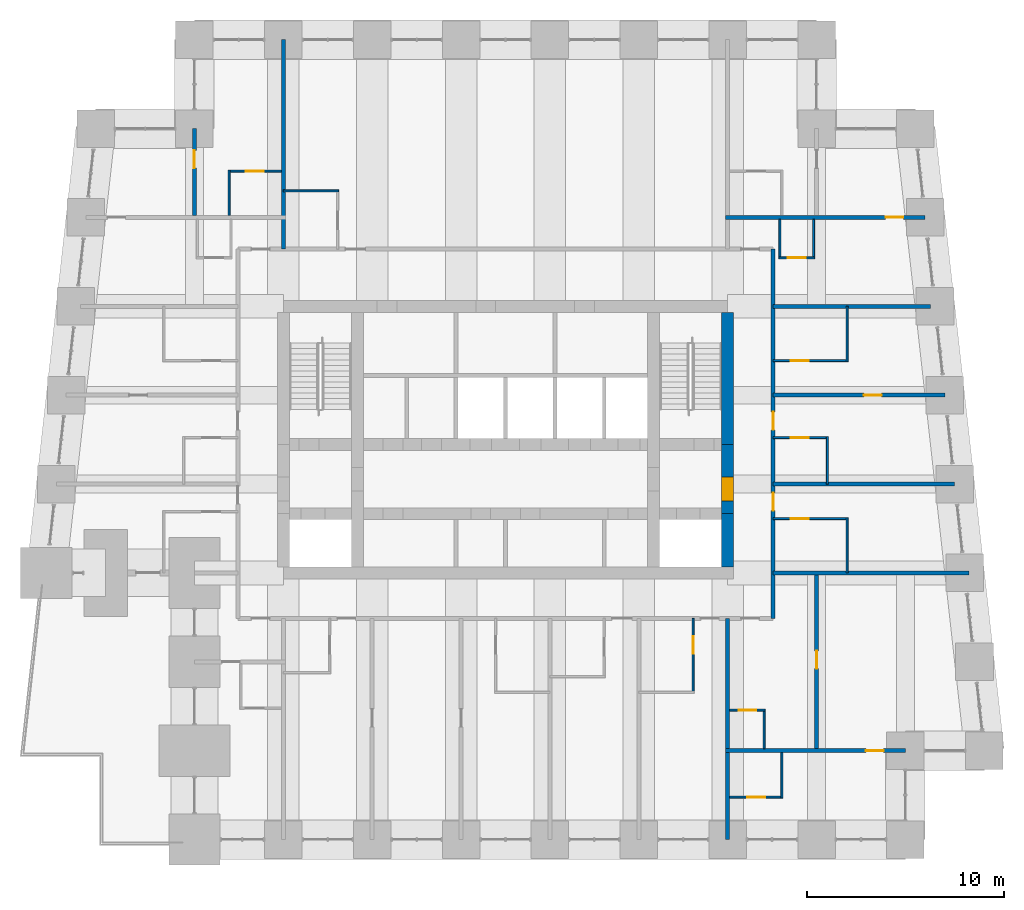
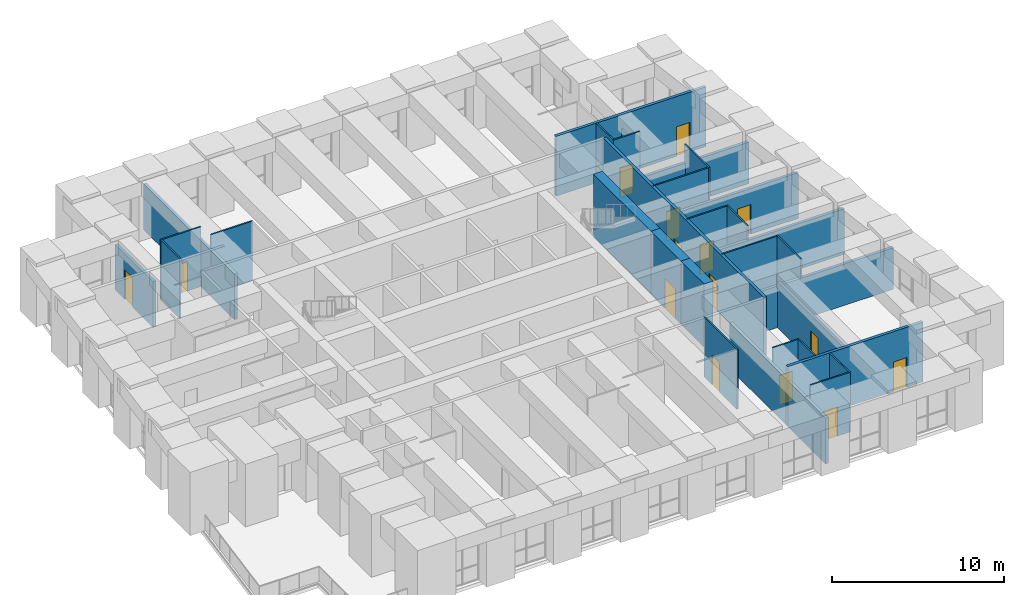
# One storey, part 14 of 16: 31 walls, 16 doors, 16 openings.
"""IFC4 building model written with IfcOpenShell, lengths in metres."""

from ifc_helpers import new_model, si_unit, direction, frame, frame_2d, origin, place, context, subcontext, project, spatial, rectangle, extrude, material, layer, layer_set, type_object, element, fill, save


model = new_model("IFC4")

# Units and contexts
model_context = context("Model", 3, precision=1e-05, world=origin(), true_north=direction((0.0, 1.0)))
body_context = subcontext(model_context, "Body", "Model", "MODEL_VIEW")
ifc_project = project(units=[si_unit("LENGTHUNIT", "METRE"), si_unit("AREAUNIT", "SQUARE_METRE"), si_unit("VOLUMEUNIT", "CUBIC_METRE"), si_unit("PLANEANGLEUNIT", "RADIAN"), si_unit("MASSUNIT", "GRAM", prefix="KILO")], contexts=[model_context])

# Site, building, storey
site_placement = place(None, origin())
site = spatial("IfcSite", under=ifc_project, at=site_placement, CompositionType="ELEMENT")
building_placement = place(site_placement, origin())
building = spatial("IfcBuilding", under=site, at=building_placement, Name="Kilele Tower Hotel", CompositionType="ELEMENT")
storey_placement = place(building_placement, frame((0.0, 0.0, 157.89990234375)))
storey = spatial("IfcBuildingStorey", under=building, at=storey_placement, Name="L40", CompositionType="ELEMENT", Elevation=157.89990234375)

# Wall, opening, door
ifc_material_1 = material(Name="Moisture-resistant board")
ifc_layer_1 = layer(ifc_material_1, 0.10009765625)
ifc_layer_set_1 = layer_set([ifc_layer_1], Name="Moisture-resistant board")
wall_type_1 = type_object("IfcWallType", Name="Bathroom partition 100", PredefinedType="PLUMBINGWALL", material=ifc_layer_set_1)
wall_1_placement = place(storey_placement, frame((34.25, 11.199951171875, 0.0), z_axis=(0.0, 0.0, 1.0), x_axis=(0.0, -1.0, 0.0)))
wall_1 = element("IfcWall", 1, at=wall_1_placement, inside=storey, type_object=wall_type_1, Name="Bathroom partition 100 L40", PredefinedType="PLUMBINGWALL", context=body_context, shape_type="SweptSolid", body=[
    extrude(rectangle(XDim=3.800048828125, YDim=0.10009765625, at=frame_2d((1.89990234375, 0.0))), origin(), (0.0, 0.0, 1.0), 4.25),
])
opening_1_placement = place(wall_1_placement, frame((0.89990234375, 0.0, 0.0)))
opening_1 = element("IfcOpeningElement", 2, at=opening_1_placement, cuts=wall_1, Name="Opening D2A", PredefinedType="OPENING", context=body_context, shape_type="SweptSolid", body=[
    extrude(rectangle(XDim=0.89990234375, YDim=2.10009765625, at=frame_2d((0.449951171875, 1.050048828125))), frame((0.0, 0.06005859375, 0.0), z_axis=(0.0, -1.0, 0.0), x_axis=(1.0, 0.0, 0.0)), (0.0, 0.0, 1.0), 0.1201171875),
])
ifc_material_2 = material(Name="Timber door leaf in hardwood frame", Category="wood")
door_type_1 = type_object("IfcDoorType", Name="Bathroom door 900", OperationType="SINGLE_SWING_LEFT", PredefinedType="DOOR", material=ifc_material_2)
door_1_placement = place(opening_1_placement, origin())
door_1 = element("IfcDoor", 3, at=door_1_placement, inside=storey, type_object=door_type_1, Name="Bathroom door 4005B", OperationType="SINGLE_SWING_LEFT", OverallHeight=2.10009765625, OverallWidth=0.89990234375, PredefinedType="DOOR", context=body_context, shape_type="SweptSolid", body=[
    extrude(rectangle(XDim=0.89990234375, YDim=2.10009765625, at=frame_2d((0.449951171875, 1.050048828125))), frame((0.0, 0.02490234375, 0.0), z_axis=(0.0, -1.0, 0.0), x_axis=(1.0, 0.0, 0.0)), (0.0, 0.0, 1.0), 0.050048828125),
])
fill(opening_1, door_1)

# Wall
wall_2_placement = place(storey_placement, frame((42.050048828125, 13.5, 0.0), z_axis=(0.0, 0.0, 1.0), x_axis=(0.0, 1.0, 0.0)))
element("IfcWall", 4, at=wall_2_placement, inside=storey, type_object=wall_type_1, Name="Bathroom partition 100 L40", PredefinedType="PLUMBINGWALL", context=body_context, shape_type="SweptSolid", body=[
    extrude(rectangle(XDim=2.800048828125, YDim=0.10009765625, at=frame_2d((1.39990234375, 0.0))), origin(), (0.0, 0.0, 1.0), 4.25),
])

# Wall, opening, door
wall_3_placement = place(storey_placement, frame((38.300048828125, 16.25, 0.0), z_axis=(0.0, 0.0, 1.0), x_axis=(1.0, 0.0, 0.0)))
wall_3 = element("IfcWall", 5, at=wall_3_placement, inside=storey, type_object=wall_type_1, Name="Bathroom partition 100 L40", PredefinedType="PLUMBINGWALL", context=body_context, shape_type="SweptSolid", body=[
    extrude(rectangle(XDim=3.800048828125, YDim=0.10009765625, at=frame_2d((1.89990234375, 0.0))), origin(), (0.0, 0.0, 1.0), 4.25),
])
opening_2_placement = place(wall_3_placement, frame((0.89990234375, 0.0, 0.0)))
opening_2 = element("IfcOpeningElement", 6, at=opening_2_placement, cuts=wall_3, Name="Opening D2A", PredefinedType="OPENING", context=body_context, shape_type="SweptSolid", body=[
    extrude(rectangle(XDim=0.89990234375, YDim=2.10009765625, at=frame_2d((0.449951171875, 1.050048828125))), frame((0.0, 0.06005859375, 0.0), z_axis=(0.0, -1.0, 0.0), x_axis=(1.0, 0.0, 0.0)), (0.0, 0.0, 1.0), 0.1201171875),
])
door_2_placement = place(opening_2_placement, origin())
door_2 = element("IfcDoor", 7, at=door_2_placement, inside=storey, type_object=door_type_1, Name="Bathroom door 4006B", OperationType="SINGLE_SWING_LEFT", OverallHeight=2.10009765625, OverallWidth=0.89990234375, PredefinedType="DOOR", context=body_context, shape_type="SweptSolid", body=[
    extrude(rectangle(XDim=0.89990234375, YDim=2.10009765625, at=frame_2d((0.449951171875, 1.050048828125))), frame((0.0, 0.02490234375, 0.0), z_axis=(0.0, -1.0, 0.0), x_axis=(1.0, 0.0, 0.0)), (0.0, 0.0, 1.0), 0.050048828125),
])
fill(opening_2, door_2)

# Wall
wall_4_placement = place(storey_placement, frame((41.050048828125, 18.0, 0.0), z_axis=(0.0, 0.0, 1.0), x_axis=(0.0, 1.0, 0.0)))
element("IfcWall", 8, at=wall_4_placement, inside=storey, type_object=wall_type_1, Name="Bathroom partition 100 L40", PredefinedType="PLUMBINGWALL", context=body_context, shape_type="SweptSolid", body=[
    extrude(rectangle(XDim=2.39990234375, YDim=0.10009765625, at=frame_2d((1.199951171875, 0.0))), origin(), (0.0, 0.0, 1.0), 4.25),
])

# Wall, opening, door
wall_5_placement = place(storey_placement, frame((38.300048828125, 20.35009765625, 0.0), z_axis=(0.0, 0.0, 1.0), x_axis=(1.0, 0.0, 0.0)))
wall_5 = element("IfcWall", 9, at=wall_5_placement, inside=storey, type_object=wall_type_1, Name="Bathroom partition 100 L40", PredefinedType="PLUMBINGWALL", context=body_context, shape_type="SweptSolid", body=[
    extrude(rectangle(XDim=2.800048828125, YDim=0.10009765625, at=frame_2d((1.39990234375, 0.0))), origin(), (0.0, 0.0, 1.0), 4.25),
])
opening_3_placement = place(wall_5_placement, frame((0.89990234375, 0.0, 0.0)))
opening_3 = element("IfcOpeningElement", 10, at=opening_3_placement, cuts=wall_5, Name="Opening D2A", PredefinedType="OPENING", context=body_context, shape_type="SweptSolid", body=[
    extrude(rectangle(XDim=0.89990234375, YDim=2.10009765625, at=frame_2d((0.449951171875, 1.050048828125))), frame((0.0, 0.06005859375, 0.0), z_axis=(0.0, -1.0, 0.0), x_axis=(1.0, 0.0, 0.0)), (0.0, 0.0, 1.0), 0.1201171875),
])
door_3_placement = place(opening_3_placement, origin())
door_3 = element("IfcDoor", 11, at=door_3_placement, inside=storey, type_object=door_type_1, Name="Bathroom door 4007B", OperationType="SINGLE_SWING_LEFT", OverallHeight=2.10009765625, OverallWidth=0.89990234375, PredefinedType="DOOR", context=body_context, shape_type="SweptSolid", body=[
    extrude(rectangle(XDim=0.89990234375, YDim=2.10009765625, at=frame_2d((0.449951171875, 1.050048828125))), frame((0.0, 0.02490234375, 0.0), z_axis=(0.0, -1.0, 0.0), x_axis=(1.0, 0.0, 0.0)), (0.0, 0.0, 1.0), 0.050048828125),
])
fill(opening_3, door_3)

# Wall
wall_6_placement = place(storey_placement, frame((42.050048828125, 24.199951171875, 0.0), z_axis=(0.0, 0.0, 1.0), x_axis=(0.0, 1.0, 0.0)))
element("IfcWall", 12, at=wall_6_placement, inside=storey, type_object=wall_type_1, Name="Bathroom partition 100 L40", PredefinedType="PLUMBINGWALL", context=body_context, shape_type="SweptSolid", body=[
    extrude(rectangle(XDim=2.800048828125, YDim=0.10009765625, at=frame_2d((1.39990234375, 0.0))), origin(), (0.0, 0.0, 1.0), 4.25),
])

# Wall, opening, door
wall_7_placement = place(storey_placement, frame((38.300048828125, 24.25, 0.0), z_axis=(0.0, 0.0, 1.0), x_axis=(1.0, 0.0, 0.0)))
wall_7 = element("IfcWall", 13, at=wall_7_placement, inside=storey, type_object=wall_type_1, Name="Bathroom partition 100 L40", PredefinedType="PLUMBINGWALL", context=body_context, shape_type="SweptSolid", body=[
    extrude(rectangle(XDim=3.800048828125, YDim=0.10009765625, at=frame_2d((1.89990234375, 0.0))), origin(), (0.0, 0.0, 1.0), 4.25),
])
opening_4_placement = place(wall_7_placement, frame((1.7998046875, 0.0, 0.0), z_axis=(0.0, 0.0, 1.0), x_axis=(-1.0, 0.0, 0.0)))
opening_4 = element("IfcOpeningElement", 14, at=opening_4_placement, cuts=wall_7, Name="Opening D2A", PredefinedType="OPENING", context=body_context, shape_type="SweptSolid", body=[
    extrude(rectangle(XDim=0.89990234375, YDim=2.10009765625, at=frame_2d((0.449951171875, 1.050048828125))), frame((0.0, 0.06005859375, 0.0), z_axis=(0.0, -1.0, 0.0), x_axis=(1.0, 0.0, 0.0)), (0.0, 0.0, 1.0), 0.1201171875),
])
door_4_placement = place(opening_4_placement, origin())
door_4 = element("IfcDoor", 15, at=door_4_placement, inside=storey, type_object=door_type_1, Name="Bathroom door 4008B", OperationType="SINGLE_SWING_RIGHT", OverallHeight=2.10009765625, OverallWidth=0.89990234375, PredefinedType="DOOR", context=body_context, shape_type="SweptSolid", body=[
    extrude(rectangle(XDim=0.89990234375, YDim=2.10009765625, at=frame_2d((0.449951171875, 1.050048828125))), frame((0.0, 0.02490234375, 0.0), z_axis=(0.0, -1.0, 0.0), x_axis=(1.0, 0.0, 0.0)), (0.0, 0.0, 1.0), 0.050048828125),
])
fill(opening_4, door_4)

# Walls
wall_8_placement = place(storey_placement, frame((13.5, 32.85009765625, 0.0), z_axis=(0.0, 0.0, 1.0), x_axis=(1.0, 0.0, 0.0)))
element("IfcWall", 16, at=wall_8_placement, inside=storey, type_object=wall_type_1, Name="Bathroom partition 100 L40", PredefinedType="PLUMBINGWALL", context=body_context, shape_type="SweptSolid", body=[
    extrude(rectangle(XDim=2.800048828125, YDim=0.10009765625, at=frame_2d((1.39990234375, 0.0))), origin(), (0.0, 0.0, 1.0), 4.25),
])
wall_9_placement = place(storey_placement, frame((37.85009765625, 4.60009765625, 0.0), z_axis=(0.0, 0.0, 1.0), x_axis=(0.0, 1.0, 0.0)))
element("IfcWall", 17, at=wall_9_placement, inside=storey, type_object=wall_type_1, Name="Bathroom partition 100 L40", PredefinedType="PLUMBINGWALL", context=body_context, shape_type="SweptSolid", body=[
    extrude(rectangle(XDim=2.0, YDim=0.10009765625, at=frame_2d((1.0, 0.0))), origin(), (0.0, 0.0, 1.0), 4.25),
])

# Wall, opening, door
wall_10_placement = place(storey_placement, frame((36.10009765625, 6.550048828125, 0.0), z_axis=(0.0, 0.0, 1.0), x_axis=(1.0, 0.0, 0.0)))
wall_10 = element("IfcWall", 18, at=wall_10_placement, inside=storey, type_object=wall_type_1, Name="Bathroom partition 100 L40", PredefinedType="PLUMBINGWALL", context=body_context, shape_type="SweptSolid", body=[
    extrude(rectangle(XDim=1.7998046875, YDim=0.10009765625, at=frame_2d((0.89990234375, 0.0))), origin(), (0.0, 0.0, 1.0), 4.25),
])
opening_5_placement = place(wall_10_placement, frame((0.449951171875, 0.0, 0.0)))
opening_5 = element("IfcOpeningElement", 19, at=opening_5_placement, cuts=wall_10, Name="Opening D2A", PredefinedType="OPENING", context=body_context, shape_type="SweptSolid", body=[
    extrude(rectangle(XDim=0.89990234375, YDim=2.10009765625, at=frame_2d((0.449951171875, 1.050048828125))), frame((0.0, 0.06005859375, 0.0), z_axis=(0.0, -1.0, 0.0), x_axis=(1.0, 0.0, 0.0)), (0.0, 0.0, 1.0), 0.1201171875),
])
door_5_placement = place(opening_5_placement, origin())
door_5 = element("IfcDoor", 20, at=door_5_placement, inside=storey, type_object=door_type_1, Name="Bathroom door 4015P", OperationType="SINGLE_SWING_LEFT", OverallHeight=2.10009765625, OverallWidth=0.89990234375, PredefinedType="DOOR", context=body_context, shape_type="SweptSolid", body=[
    extrude(rectangle(XDim=0.89990234375, YDim=2.10009765625, at=frame_2d((0.449951171875, 1.050048828125))), frame((0.0, 0.02490234375, 0.0), z_axis=(0.0, -1.0, 0.0), x_axis=(1.0, 0.0, 0.0)), (0.0, 0.0, 1.0), 0.050048828125),
])
fill(opening_5, door_5)

# Wall
wall_11_placement = place(storey_placement, frame((38.75, 4.39990234375, 0.0), z_axis=(0.0, 0.0, 1.0), x_axis=(0.0, -1.0, 0.0)))
element("IfcWall", 21, at=wall_11_placement, inside=storey, type_object=wall_type_1, Name="Bathroom partition 100 L40", PredefinedType="PLUMBINGWALL", context=body_context, shape_type="SweptSolid", body=[
    extrude(rectangle(XDim=2.2998046875, YDim=0.10009765625, at=frame_2d((1.14990234375, 0.0))), origin(), (0.0, 0.0, 1.0), 4.25),
])

# Wall, opening, door
wall_12_placement = place(storey_placement, frame((36.10009765625, 2.14990234375, 0.0), z_axis=(0.0, 0.0, 1.0), x_axis=(1.0, 0.0, 0.0)))
wall_12 = element("IfcWall", 22, at=wall_12_placement, inside=storey, type_object=wall_type_1, Name="Bathroom partition 100 L40", PredefinedType="PLUMBINGWALL", context=body_context, shape_type="SweptSolid", body=[
    extrude(rectangle(XDim=2.699951171875, YDim=0.10009765625, at=frame_2d((1.35009765625, 0.0))), origin(), (0.0, 0.0, 1.0), 4.25),
])
opening_6_placement = place(wall_12_placement, frame((1.7998046875, 0.0, 0.0), z_axis=(0.0, 0.0, 1.0), x_axis=(-1.0, 0.0, 0.0)))
opening_6 = element("IfcOpeningElement", 23, at=opening_6_placement, cuts=wall_12, Name="Opening D2A", PredefinedType="OPENING", context=body_context, shape_type="SweptSolid", body=[
    extrude(rectangle(XDim=0.89990234375, YDim=2.10009765625, at=frame_2d((0.449951171875, 1.050048828125))), frame((0.0, 0.06005859375, 0.0), z_axis=(0.0, -1.0, 0.0), x_axis=(1.0, 0.0, 0.0)), (0.0, 0.0, 1.0), 0.1201171875),
])
door_6_placement = place(opening_6_placement, origin())
door_6 = element("IfcDoor", 24, at=door_6_placement, inside=storey, type_object=door_type_1, Name="Bathroom door 4017B", OperationType="SINGLE_SWING_RIGHT", OverallHeight=2.10009765625, OverallWidth=0.89990234375, PredefinedType="DOOR", context=body_context, shape_type="SweptSolid", body=[
    extrude(rectangle(XDim=0.89990234375, YDim=2.10009765625, at=frame_2d((0.449951171875, 1.050048828125))), frame((0.0, 0.02490234375, 0.0), z_axis=(0.0, -1.0, 0.0), x_axis=(1.0, 0.0, 0.0)), (0.0, 0.0, 1.0), 0.050048828125),
])
fill(opening_6, door_6)

# Walls
wall_13_placement = place(storey_placement, frame((40.35009765625, 31.39990234375, 0.0), z_axis=(0.0, 0.0, 1.0), x_axis=(0.0, -1.0, 0.0)))
element("IfcWall", 25, at=wall_13_placement, inside=storey, type_object=wall_type_1, Name="Bathroom partition 100 L40", PredefinedType="PLUMBINGWALL", context=body_context, shape_type="SweptSolid", body=[
    extrude(rectangle(XDim=2.0, YDim=0.10009765625, at=frame_2d((1.0, 0.0))), origin(), (0.0, 0.0, 1.0), 3.25),
])
wall_14_placement = place(storey_placement, frame((38.64990234375, 31.39990234375, 0.0), z_axis=(0.0, 0.0, 1.0), x_axis=(0.0, -1.0, 0.0)))
element("IfcWall", 26, at=wall_14_placement, inside=storey, type_object=wall_type_1, Name="Bathroom partition 100 L40", PredefinedType="PLUMBINGWALL", context=body_context, shape_type="SweptSolid", body=[
    extrude(rectangle(XDim=2.0, YDim=0.10009765625, at=frame_2d((1.0, 0.0))), origin(), (0.0, 0.0, 1.0), 4.25),
])

# Wall, opening, door
wall_15_placement = place(storey_placement, frame((38.60009765625, 29.449951171875, 0.0), z_axis=(0.0, 0.0, 1.0), x_axis=(1.0, 0.0, 0.0)))
wall_15 = element("IfcWall", 27, at=wall_15_placement, inside=storey, type_object=wall_type_1, Name="Bathroom partition 100 L40", PredefinedType="PLUMBINGWALL", context=body_context, shape_type="SweptSolid", body=[
    extrude(rectangle(XDim=1.7998046875, YDim=0.10009765625, at=frame_2d((0.89990234375, 0.0))), origin(), (0.0, 0.0, 1.0), 4.25),
])
opening_7_placement = place(wall_15_placement, frame((1.349853515625, 0.0, 0.0), z_axis=(0.0, 0.0, 1.0), x_axis=(-1.0, 0.0, 0.0)))
opening_7 = element("IfcOpeningElement", 28, at=opening_7_placement, cuts=wall_15, Name="Opening D2A", PredefinedType="OPENING", context=body_context, shape_type="SweptSolid", body=[
    extrude(rectangle(XDim=0.89990234375, YDim=2.10009765625, at=frame_2d((0.449951171875, 1.050048828125))), frame((0.0, 0.06005859375, 0.0), z_axis=(0.0, -1.0, 0.0), x_axis=(1.0, 0.0, 0.0)), (0.0, 0.0, 1.0), 0.1201171875),
])
door_7_placement = place(opening_7_placement, origin())
door_7 = element("IfcDoor", 29, at=door_7_placement, inside=storey, type_object=door_type_1, Name="Bathroom door 4018P", OperationType="SINGLE_SWING_RIGHT", OverallHeight=2.10009765625, OverallWidth=0.89990234375, PredefinedType="DOOR", context=body_context, shape_type="SweptSolid", body=[
    extrude(rectangle(XDim=0.89990234375, YDim=2.10009765625, at=frame_2d((0.449951171875, 1.050048828125))), frame((0.0, 0.02490234375, 0.0), z_axis=(0.0, -1.0, 0.0), x_axis=(1.0, 0.0, 0.0)), (0.0, 0.0, 1.0), 0.050048828125),
])
fill(opening_7, door_7)

# Wall
wall_16_placement = place(storey_placement, frame((10.75, 31.60009765625, 0.0), z_axis=(0.0, 0.0, 1.0), x_axis=(0.0, 1.0, 0.0)))
element("IfcWall", 30, at=wall_16_placement, inside=storey, type_object=wall_type_1, Name="Bathroom partition 100 L40", PredefinedType="PLUMBINGWALL", context=body_context, shape_type="SweptSolid", body=[
    extrude(rectangle(XDim=2.2998046875, YDim=0.10009765625, at=frame_2d((1.14990234375, 0.0))), origin(), (0.0, 0.0, 1.0), 4.25),
])

# Wall, opening, door
wall_17_placement = place(storey_placement, frame((13.39990234375, 33.85009765625, 0.0), z_axis=(0.0, 0.0, 1.0), x_axis=(-1.0, 0.0, 0.0)))
wall_17 = element("IfcWall", 31, at=wall_17_placement, inside=storey, type_object=wall_type_1, Name="Bathroom partition 100 L40", PredefinedType="PLUMBINGWALL", context=body_context, shape_type="SweptSolid", body=[
    extrude(rectangle(XDim=2.699951171875, YDim=0.10009765625, at=frame_2d((1.35009765625, 0.0))), origin(), (0.0, 0.0, 1.0), 4.25),
])
opening_8_placement = place(wall_17_placement, frame((1.7998046875, 0.0, 0.0), z_axis=(0.0, 0.0, 1.0), x_axis=(-1.0, 0.0, 0.0)))
opening_8 = element("IfcOpeningElement", 32, at=opening_8_placement, cuts=wall_17, Name="Opening D2A", PredefinedType="OPENING", context=body_context, shape_type="SweptSolid", body=[
    extrude(rectangle(XDim=0.89990234375, YDim=2.10009765625, at=frame_2d((0.449951171875, 1.050048828125))), frame((0.0, 0.06005859375, 0.0), z_axis=(0.0, -1.0, 0.0), x_axis=(1.0, 0.0, 0.0)), (0.0, 0.0, 1.0), 0.1201171875),
])
door_8_placement = place(opening_8_placement, origin())
door_8 = element("IfcDoor", 33, at=door_8_placement, inside=storey, type_object=door_type_1, Name="Bathroom door 4022B", OperationType="SINGLE_SWING_RIGHT", OverallHeight=2.10009765625, OverallWidth=0.89990234375, PredefinedType="DOOR", context=body_context, shape_type="SweptSolid", body=[
    extrude(rectangle(XDim=0.89990234375, YDim=2.10009765625, at=frame_2d((0.449951171875, 1.050048828125))), frame((0.0, 0.02490234375, 0.0), z_axis=(0.0, -1.0, 0.0), x_axis=(1.0, 0.0, 0.0)), (0.0, 0.0, 1.0), 0.050048828125),
])
fill(opening_8, door_8)

# Wall
ifc_material_3 = material(Name="Concrete C70/85", Category="concrete")
ifc_layer_2 = layer(ifc_material_3, 0.60009765625)
ifc_layer_set_2 = layer_set([ifc_layer_2], Name="Concrete C70/85")
wall_type_2 = type_object("IfcWallType", Name="Core wall 600 C70/85", PredefinedType="SHEAR", material=ifc_layer_set_2)
wall_18_placement = place(storey_placement, frame((36.0, 13.800048828125, 0.0), z_axis=(0.0, 0.0, 1.0), x_axis=(0.0, 1.0, 0.0)))
element("IfcWall", 34, at=wall_18_placement, inside=storey, type_object=wall_type_2, Name="Core wall E1 L40", PredefinedType="SHEAR", context=body_context, shape_type="SweptSolid", body=[
    extrude(rectangle(XDim=2.699951171875, YDim=0.60009765625, at=frame_2d((1.35009765625, 0.0))), origin(), (0.0, 0.0, 1.0), 4.5),
])

# Wall, opening, door
wall_19_placement = place(storey_placement, frame((36.0, 16.5, 0.0), z_axis=(0.0, 0.0, 1.0), x_axis=(0.0, 1.0, 0.0)))
wall_19 = element("IfcWall", 35, at=wall_19_placement, inside=storey, type_object=wall_type_2, Name="Core wall E2 L40", PredefinedType="SHEAR", context=body_context, shape_type="SweptSolid", body=[
    extrude(rectangle(XDim=3.5, YDim=0.60009765625, at=frame_2d((1.75, 0.0))), origin(), (0.0, 0.0, 1.0), 4.5),
])
opening_9_placement = place(wall_19_placement, frame((0.64990234375, 0.0, 0.0)))
opening_9 = element("IfcOpeningElement", 36, at=opening_9_placement, cuts=wall_19, Name="Opening D4", PredefinedType="OPENING", context=body_context, shape_type="SweptSolid", body=[
    extrude(rectangle(XDim=1.199951171875, YDim=2.10009765625, at=frame_2d((0.60009765625, 1.050048828125))), frame((0.0, 0.31005859375, 0.0), z_axis=(0.0, -1.0, 0.0), x_axis=(1.0, 0.0, 0.0)), (0.0, 0.0, 1.0), 0.6201171875),
])
ifc_material_4 = material(Name="Timber door leaf in hardwood frame", Category="wood")
door_type_2 = type_object("IfcDoorType", Name="Firefighting lobby door 1200", OperationType="SINGLE_SWING_LEFT", PredefinedType="DOOR", material=ifc_material_4)
door_9_placement = place(opening_9_placement, origin())
door_9 = element("IfcDoor", 37, at=door_9_placement, inside=storey, type_object=door_type_2, Name="Lobby door L40", OperationType="SINGLE_SWING_LEFT", OverallHeight=2.10009765625, OverallWidth=1.199951171875, PredefinedType="DOOR", context=body_context, shape_type="SweptSolid", body=[
    extrude(rectangle(XDim=1.199951171875, YDim=2.10009765625, at=frame_2d((0.60009765625, 1.050048828125))), frame((0.0, 0.2998046875, 0.0), z_axis=(0.0, -1.0, 0.0), x_axis=(1.0, 0.0, 0.0)), (0.0, 0.0, 1.0), 0.599609375),
])
fill(opening_9, door_9)

# Wall
wall_20_placement = place(storey_placement, frame((36.0, 20.0, 0.0), z_axis=(0.0, 0.0, 1.0), x_axis=(0.0, 1.0, 0.0)))
element("IfcWall", 38, at=wall_20_placement, inside=storey, type_object=wall_type_2, Name="Core wall E3 L40", PredefinedType="SHEAR", context=body_context, shape_type="SweptSolid", body=[
    extrude(rectangle(XDim=6.699951171875, YDim=0.60009765625, at=frame_2d((3.35009765625, 0.0))), origin(), (0.0, 0.0, 1.0), 4.5),
])

# Wall, openings, doors
ifc_material_5 = material(Name="Blockwork, plastered both sides", Category="masonry")
ifc_layer_3 = layer(ifc_material_5, 0.199951171875)
ifc_layer_set_3 = layer_set([ifc_layer_3], Name="Blockwork, plastered both sides")
wall_type_3 = type_object("IfcWallType", Name="Corridor wall 200", PredefinedType="PARTITIONING", material=ifc_layer_set_3)
wall_21_placement = place(storey_placement, frame((38.300048828125, 11.199951171875, 0.0), z_axis=(0.0, 0.0, 1.0), x_axis=(0.0, 1.0, 0.0)))
wall_21 = element("IfcWall", 39, at=wall_21_placement, inside=storey, type_object=wall_type_3, Name="Corridor wall 200 L40", PredefinedType="PARTITIONING", context=body_context, shape_type="SweptSolid", body=[
    extrude(rectangle(XDim=18.699951171875, YDim=0.199951171875, at=frame_2d((9.35009765625, 0.0))), origin(), (0.0, 0.0, 1.0), 4.25),
])
opening_10_placement = place(wall_21_placement, frame((6.349853515625, 0.0, 0.0), z_axis=(0.0, 0.0, 1.0), x_axis=(-1.0, 0.0, 0.0)))
opening_10 = element("IfcOpeningElement", 40, at=opening_10_placement, cuts=wall_21, Name="Opening D1", PredefinedType="OPENING", context=body_context, shape_type="SweptSolid", body=[
    extrude(rectangle(XDim=0.89990234375, YDim=2.10009765625, at=frame_2d((0.449951171875, 1.050048828125))), frame((0.0, 0.10986328125, 0.0), z_axis=(0.0, -1.0, 0.0), x_axis=(1.0, 0.0, 0.0)), (0.0, 0.0, 1.0), 0.219970703125),
])
opening_11_placement = place(wall_21_placement, frame((10.449951171875, 0.0, 0.0), z_axis=(0.0, 0.0, 1.0), x_axis=(-1.0, 0.0, 0.0)))
opening_11 = element("IfcOpeningElement", 41, at=opening_11_placement, cuts=wall_21, Name="Opening D1", PredefinedType="OPENING", context=body_context, shape_type="SweptSolid", body=[
    extrude(rectangle(XDim=0.89990234375, YDim=2.10009765625, at=frame_2d((0.449951171875, 1.050048828125))), frame((0.0, 0.10986328125, 0.0), z_axis=(0.0, -1.0, 0.0), x_axis=(1.0, 0.0, 0.0)), (0.0, 0.0, 1.0), 0.219970703125),
])
ifc_material_6 = material(Name="Timber door leaf in hardwood frame", Category="wood")
door_type_3 = type_object("IfcDoorType", Name="Guest room entrance door 900", OperationType="SINGLE_SWING_LEFT", PredefinedType="DOOR", material=ifc_material_6)
door_10_placement = place(opening_10_placement, origin())
door_10 = element("IfcDoor", 42, at=door_10_placement, inside=storey, type_object=door_type_3, Name="Room entrance 4006", OperationType="SINGLE_SWING_RIGHT", OverallHeight=2.10009765625, OverallWidth=0.89990234375, PredefinedType="DOOR", context=body_context, shape_type="SweptSolid", body=[
    extrude(rectangle(XDim=0.89990234375, YDim=2.10009765625, at=frame_2d((0.449951171875, 1.050048828125))), frame((0.0, 0.02490234375, 0.0), z_axis=(0.0, -1.0, 0.0), x_axis=(1.0, 0.0, 0.0)), (0.0, 0.0, 1.0), 0.050048828125),
])
fill(opening_10, door_10)
door_11_placement = place(opening_11_placement, origin())
door_11 = element("IfcDoor", 43, at=door_11_placement, inside=storey, type_object=door_type_3, Name="Room entrance 4007", OperationType="SINGLE_SWING_RIGHT", OverallHeight=2.10009765625, OverallWidth=0.89990234375, PredefinedType="DOOR", context=body_context, shape_type="SweptSolid", body=[
    extrude(rectangle(XDim=0.89990234375, YDim=2.10009765625, at=frame_2d((0.449951171875, 1.050048828125))), frame((0.0, 0.02490234375, 0.0), z_axis=(0.0, -1.0, 0.0), x_axis=(1.0, 0.0, 0.0)), (0.0, 0.0, 1.0), 0.050048828125),
])
fill(opening_11, door_11)

# Wall, opening, door
ifc_material_7 = material(Name="Blockwork, plastered both sides", Category="masonry")
ifc_layer_4 = layer(ifc_material_7, 0.199951171875)
ifc_layer_set_4 = layer_set([ifc_layer_4], Name="Blockwork, plastered both sides")
wall_type_4 = type_object("IfcWallType", Name="Partition wall 200", PredefinedType="PARTITIONING", material=ifc_layer_set_4)
wall_22_placement = place(storey_placement, frame((40.5, 4.60009765625, 0.0), z_axis=(0.0, 0.0, 1.0), x_axis=(0.0, 1.0, 0.0)))
wall_22 = element("IfcWall", 44, at=wall_22_placement, inside=storey, type_object=wall_type_4, Name="Partition wall 200 L40", PredefinedType="PARTITIONING", context=body_context, shape_type="SweptSolid", body=[
    extrude(rectangle(XDim=8.7998046875, YDim=0.199951171875, at=frame_2d((4.39990234375, 0.0))), origin(), (0.0, 0.0, 1.0), 3.25),
])
opening_12_placement = place(wall_22_placement, frame((4.050048828125, 0.0, 0.0)))
opening_12 = element("IfcOpeningElement", 45, at=opening_12_placement, cuts=wall_22, Name="Opening D3", PredefinedType="OPENING", context=body_context, shape_type="SweptSolid", body=[
    extrude(rectangle(XDim=0.89990234375, YDim=2.10009765625, at=frame_2d((0.449951171875, 1.050048828125))), frame((0.0, 0.10986328125, 0.0), z_axis=(0.0, -1.0, 0.0), x_axis=(1.0, 0.0, 0.0)), (0.0, 0.0, 1.0), 0.219970703125),
])
ifc_material_8 = material(Name="Timber door leaf in hardwood frame", Category="wood")
door_type_4 = type_object("IfcDoorType", Name="Suite internal door 900", OperationType="SINGLE_SWING_LEFT", PredefinedType="DOOR", material=ifc_material_8)
door_12_placement = place(opening_12_placement, origin())
door_12 = element("IfcDoor", 46, at=door_12_placement, inside=storey, type_object=door_type_4, Name="Suite door 4016", OperationType="SINGLE_SWING_RIGHT", OverallHeight=2.10009765625, OverallWidth=0.89990234375, PredefinedType="DOOR", context=body_context, shape_type="SweptSolid", body=[
    extrude(rectangle(XDim=0.89990234375, YDim=2.10009765625, at=frame_2d((0.449951171875, 1.050048828125))), frame((0.0, 0.02490234375, 0.0), z_axis=(0.0, -1.0, 0.0), x_axis=(1.0, 0.0, 0.0)), (0.0, 0.0, 1.0), 0.050048828125),
])
fill(opening_12, door_12)

wall_23_placement = place(storey_placement, frame((9.0, 31.60009765625, 0.0), z_axis=(0.0, 0.0, 1.0), x_axis=(0.0, 1.0, 0.0)))
wall_23 = element("IfcWall", 47, at=wall_23_placement, inside=storey, type_object=wall_type_4, Name="Partition wall 200 L40", PredefinedType="PARTITIONING", context=body_context, shape_type="SweptSolid", body=[
    extrude(rectangle(XDim=4.39990234375, YDim=0.199951171875, at=frame_2d((2.199951171875, 0.0))), origin(), (0.0, 0.0, 1.0), 3.25),
])
opening_13_placement = place(wall_23_placement, frame((2.39990234375, 0.0, 0.0)))
opening_13 = element("IfcOpeningElement", 48, at=opening_13_placement, cuts=wall_23, Name="Opening D3", PredefinedType="OPENING", context=body_context, shape_type="SweptSolid", body=[
    extrude(rectangle(XDim=0.89990234375, YDim=2.10009765625, at=frame_2d((0.449951171875, 1.050048828125))), frame((0.0, 0.10986328125, 0.0), z_axis=(0.0, -1.0, 0.0), x_axis=(1.0, 0.0, 0.0)), (0.0, 0.0, 1.0), 0.219970703125),
])
door_13_placement = place(opening_13_placement, origin())
door_13 = element("IfcDoor", 49, at=door_13_placement, inside=storey, type_object=door_type_4, Name="Suite door 4023", OperationType="SINGLE_SWING_RIGHT", OverallHeight=2.10009765625, OverallWidth=0.89990234375, PredefinedType="DOOR", context=body_context, shape_type="SweptSolid", body=[
    extrude(rectangle(XDim=0.89990234375, YDim=2.10009765625, at=frame_2d((0.449951171875, 1.050048828125))), frame((0.0, 0.02490234375, 0.0), z_axis=(0.0, -1.0, 0.0), x_axis=(1.0, 0.0, 0.0)), (0.0, 0.0, 1.0), 0.050048828125),
])
fill(opening_13, door_13)

# Wall
ifc_material_9 = material(Name="Blockwork, plastered both sides", Category="masonry")
ifc_layer_5 = layer(ifc_material_9, 0.199951171875)
ifc_layer_set_5 = layer_set([ifc_layer_5], Name="Blockwork, plastered both sides")
wall_type_5 = type_object("IfcWallType", Name="Party wall 200", PredefinedType="PARTITIONING", material=ifc_layer_set_5)
wall_24_placement = place(storey_placement, frame((38.300048828125, 18.0, 0.0), z_axis=(0.0, 0.0, 1.0), x_axis=(1.0, 0.0, 0.0)))
element("IfcWall", 50, at=wall_24_placement, inside=storey, type_object=wall_type_5, Name="Party wall 200 L40", PredefinedType="PARTITIONING", context=body_context, shape_type="SweptSolid", body=[
    extrude(rectangle(XDim=9.198974609375, YDim=0.199951171875, at=frame_2d((4.599609375, 0.0))), origin(), (0.0, 0.0, 1.0), 3.25),
])

# Wall, opening, door
wall_25_placement = place(storey_placement, frame((38.300048828125, 22.5, 0.0), z_axis=(0.0, 0.0, 1.0), x_axis=(1.0, 0.0, 0.0)))
wall_25 = element("IfcWall", 51, at=wall_25_placement, inside=storey, type_object=wall_type_5, Name="Party wall 200 L40", PredefinedType="PARTITIONING", context=body_context, shape_type="SweptSolid", body=[
    extrude(rectangle(XDim=8.698974609375, YDim=0.199951171875, at=frame_2d((4.349609375, 0.0))), origin(), (0.0, 0.0, 1.0), 3.25),
])
opening_14_placement = place(wall_25_placement, frame((4.60009765625, 0.0, 0.0)))
opening_14 = element("IfcOpeningElement", 52, at=opening_14_placement, cuts=wall_25, Name="Opening D3", PredefinedType="OPENING", context=body_context, shape_type="SweptSolid", body=[
    extrude(rectangle(XDim=0.89990234375, YDim=2.10009765625, at=frame_2d((0.449951171875, 1.050048828125))), frame((0.0, 0.10986328125, 0.0), z_axis=(0.0, -1.0, 0.0), x_axis=(1.0, 0.0, 0.0)), (0.0, 0.0, 1.0), 0.219970703125),
])
door_14_placement = place(opening_14_placement, origin())
door_14 = element("IfcDoor", 53, at=door_14_placement, inside=storey, type_object=door_type_4, Name="Suite door 4008", OperationType="SINGLE_SWING_RIGHT", OverallHeight=2.10009765625, OverallWidth=0.89990234375, PredefinedType="DOOR", context=body_context, shape_type="SweptSolid", body=[
    extrude(rectangle(XDim=0.89990234375, YDim=2.10009765625, at=frame_2d((0.449951171875, 1.050048828125))), frame((0.0, 0.02490234375, 0.0), z_axis=(0.0, -1.0, 0.0), x_axis=(1.0, 0.0, 0.0)), (0.0, 0.0, 1.0), 0.050048828125),
])
fill(opening_14, door_14)

# Walls
wall_26_placement = place(storey_placement, frame((38.300048828125, 13.5, 0.0), z_axis=(0.0, 0.0, 1.0), x_axis=(1.0, 0.0, 0.0)))
element("IfcWall", 54, at=wall_26_placement, inside=storey, type_object=wall_type_5, Name="Party wall 200 L40", PredefinedType="PARTITIONING", context=body_context, shape_type="SweptSolid", body=[
    extrude(rectangle(XDim=9.921142578125, YDim=0.199951171875, at=frame_2d((4.96044921875, 0.0))), origin(), (0.0, 0.0, 1.0), 2.9501953125),
])
wall_27_placement = place(storey_placement, frame((36.0, 11.199951171875, 0.0), z_axis=(0.0, 0.0, 1.0), x_axis=(0.0, -1.0, 0.0)))
element("IfcWall", 55, at=wall_27_placement, inside=storey, type_object=wall_type_5, Name="Party wall 200 L40", PredefinedType="PARTITIONING", context=body_context, shape_type="SweptSolid", body=[
    extrude(rectangle(XDim=11.199951171875, YDim=0.199951171875, at=frame_2d((5.60009765625, 0.0))), origin(), (0.0, 0.0, 1.0), 3.25),
])

# Wall, opening, door
wall_28_placement = place(storey_placement, frame((35.89990234375, 4.5, 0.0), z_axis=(0.0, 0.0, 1.0), x_axis=(1.0, 0.0, 0.0)))
wall_28 = element("IfcWall", 56, at=wall_28_placement, inside=storey, type_object=wall_type_5, Name="Party wall 200 L40", PredefinedType="PARTITIONING", context=body_context, shape_type="SweptSolid", body=[
    extrude(rectangle(XDim=9.10009765625, YDim=0.199951171875, at=frame_2d((4.550048828125, 0.0))), origin(), (0.0, 0.0, 1.0), 4.25),
])
opening_15_placement = place(wall_28_placement, frame((7.10009765625, 0.0, 0.0)))
opening_15 = element("IfcOpeningElement", 57, at=opening_15_placement, cuts=wall_28, Name="Opening D3", PredefinedType="OPENING", context=body_context, shape_type="SweptSolid", body=[
    extrude(rectangle(XDim=0.89990234375, YDim=2.10009765625, at=frame_2d((0.449951171875, 1.050048828125))), frame((0.0, 0.10986328125, 0.0), z_axis=(0.0, -1.0, 0.0), x_axis=(1.0, 0.0, 0.0)), (0.0, 0.0, 1.0), 0.219970703125),
])
door_15_placement = place(opening_15_placement, origin())
door_15 = element("IfcDoor", 58, at=door_15_placement, inside=storey, type_object=door_type_4, Name="Suite door 4017", OperationType="SINGLE_SWING_RIGHT", OverallHeight=2.10009765625, OverallWidth=0.89990234375, PredefinedType="DOOR", context=body_context, shape_type="SweptSolid", body=[
    extrude(rectangle(XDim=0.89990234375, YDim=2.10009765625, at=frame_2d((0.449951171875, 1.050048828125))), frame((0.0, 0.02490234375, 0.0), z_axis=(0.0, -1.0, 0.0), x_axis=(1.0, 0.0, 0.0)), (0.0, 0.0, 1.0), 0.050048828125),
])
fill(opening_15, door_15)

# Wall
wall_29_placement = place(storey_placement, frame((38.300048828125, 27.0, 0.0), z_axis=(0.0, 0.0, 1.0), x_axis=(1.0, 0.0, 0.0)))
element("IfcWall", 59, at=wall_29_placement, inside=storey, type_object=wall_type_5, Name="Party wall 200 L40", PredefinedType="PARTITIONING", context=body_context, shape_type="SweptSolid", body=[
    extrude(rectangle(XDim=7.976806640625, YDim=0.199951171875, at=frame_2d((3.98828125, 0.0))), origin(), (0.0, 0.0, 1.0), 2.9501953125),
])

# Wall, opening, door
wall_30_placement = place(storey_placement, frame((35.89990234375, 31.5, 0.0), z_axis=(0.0, 0.0, 1.0), x_axis=(1.0, 0.0, 0.0)))
wall_30 = element("IfcWall", 60, at=wall_30_placement, inside=storey, type_object=wall_type_5, Name="Party wall 200 L40", PredefinedType="PARTITIONING", context=body_context, shape_type="SweptSolid", body=[
    extrude(rectangle(XDim=10.09912109375, YDim=0.199951171875, at=frame_2d((5.049560546875, 0.0))), origin(), (0.0, 0.0, 1.0), 4.25),
])
opening_16_placement = place(wall_30_placement, frame((8.09912109375, 0.0, 0.0)))
opening_16 = element("IfcOpeningElement", 61, at=opening_16_placement, cuts=wall_30, Name="Opening D3", PredefinedType="OPENING", context=body_context, shape_type="SweptSolid", body=[
    extrude(rectangle(XDim=0.89990234375, YDim=2.10009765625, at=frame_2d((0.449951171875, 1.050048828125))), frame((0.0, 0.10986328125, 0.0), z_axis=(0.0, -1.0, 0.0), x_axis=(1.0, 0.0, 0.0)), (0.0, 0.0, 1.0), 0.219970703125),
])
door_16_placement = place(opening_16_placement, origin())
door_16 = element("IfcDoor", 62, at=door_16_placement, inside=storey, type_object=door_type_4, Name="Suite door 4019", OperationType="SINGLE_SWING_RIGHT", OverallHeight=2.10009765625, OverallWidth=0.89990234375, PredefinedType="DOOR", context=body_context, shape_type="SweptSolid", body=[
    extrude(rectangle(XDim=0.89990234375, YDim=2.10009765625, at=frame_2d((0.449951171875, 1.050048828125))), frame((0.0, 0.02490234375, 0.0), z_axis=(0.0, -1.0, 0.0), x_axis=(1.0, 0.0, 0.0)), (0.0, 0.0, 1.0), 0.050048828125),
])
fill(opening_16, door_16)

# Wall
wall_31_placement = place(storey_placement, frame((13.5, 29.89990234375, 0.0), z_axis=(0.0, 0.0, 1.0), x_axis=(0.0, 1.0, 0.0)))
element("IfcWall", 63, at=wall_31_placement, inside=storey, type_object=wall_type_5, Name="Party wall 200 L40", PredefinedType="PARTITIONING", context=body_context, shape_type="SweptSolid", body=[
    extrude(rectangle(XDim=10.60009765625, YDim=0.199951171875, at=frame_2d((5.300048828125, 0.0))), origin(), (0.0, 0.0, 1.0), 3.25),
])

save(model, "model.ifc")
